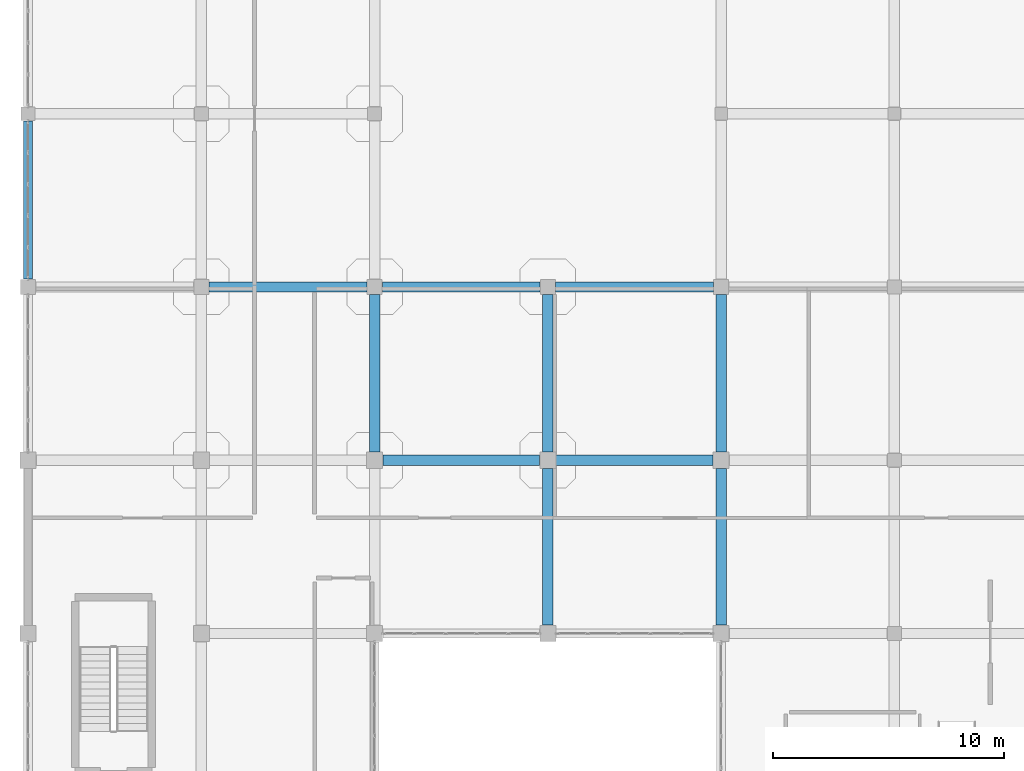
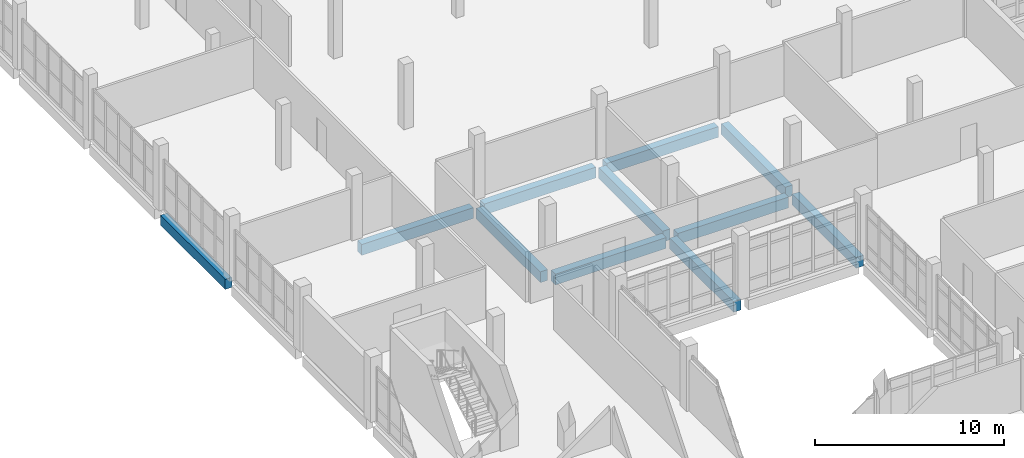
# One storey, part 36 of 164: 11 beams.
"""IFC4 building model written with IfcOpenShell, lengths in metres."""

from ifc_helpers import new_model, si_unit, direction, frame, origin, origin_2d, place, context, subcontext, project, spatial, rectangle, extrude, material, material_profile, profile_set, type_object, element, save


model = new_model("IFC4")

# Units and contexts
model_context = context("Model", 3, precision=1e-05, world=origin(), true_north=direction((0.0, 1.0)))
body_context = subcontext(model_context, "Body", "Model", "MODEL_VIEW")
ifc_project = project(units=[si_unit("LENGTHUNIT", "METRE"), si_unit("AREAUNIT", "SQUARE_METRE"), si_unit("VOLUMEUNIT", "CUBIC_METRE"), si_unit("PLANEANGLEUNIT", "RADIAN"), si_unit("MASSUNIT", "GRAM", prefix="KILO")], contexts=[model_context])

# Site, building, storey
site_placement = place(None, origin())
site = spatial("IfcSite", under=ifc_project, at=site_placement, CompositionType="ELEMENT")
building_placement = place(site_placement, origin())
building = spatial("IfcBuilding", under=site, at=building_placement, Name="Mawjan Specialist Oncology Clinic", CompositionType="ELEMENT")
storey_placement = place(building_placement, frame((0.0, 0.0, 5.0)))
storey = spatial("IfcBuildingStorey", under=building, at=storey_placement, Name="L01", CompositionType="ELEMENT", Elevation=5.0)

# Beams
ifc_material_1 = material(Name="Concrete C40/50", Category="concrete")
ifc_material_profile_1 = material_profile(ifc_material_1, rectangle(XDim=0.449951171875, YDim=0.699951171875, at=origin_2d()), Name="RC BM 450x700", Category="concrete")
ifc_profile_set_1 = profile_set([ifc_material_profile_1], Name="Concrete C40/50")
beam_type_1 = type_object("IfcBeamType", Name="BM-450x700", PredefinedType="BEAM", material=ifc_profile_set_1)
for number, where, z_axis, x_axis, name in (
    (1, (15.360107421875, 38.300048828125, -0.8701171875), (1.0, 0.0, 0.0), (0.0, 1.0, 0.0), "L01 Collector Beam BM-L01-0252"),
    (2, (22.860107421875, 38.300048828125, -0.8701171875), (1.0, 0.0, 0.0), (0.0, 1.0, 0.0), "L01 Collector Beam BM-L01-0253"),
):
    element("IfcBeam", number, at=place(storey_placement, frame(where, z_axis=z_axis, x_axis=x_axis)), inside=storey, type_object=beam_type_1, Name=name, PredefinedType="BEAM", context=body_context, shape_type="SweptSolid", body=[
        extrude(rectangle(XDim=0.449951171875, YDim=0.699951171875, at=origin_2d()), origin(), (0.0, 0.0, 1.0), 6.77978515625),
    ])
for number, where, z_axis, x_axis, name in (
    (3, (7.8349609375, 45.800048828125, -0.8701171875), (1.0, 0.0, 0.0), (0.0, 1.0, 0.0), "L01 Collector Beam BM-L01-0257"),
    (4, (15.3349609375, 45.800048828125, -0.8701171875), (1.0, 0.0, 0.0), (0.0, 1.0, 0.0), "L01 Collector Beam BM-L01-0258"),
    (5, (22.8349609375, 45.800048828125, -0.8701171875), (1.0, 0.0, 0.0), (0.0, 1.0, 0.0), "L01 Collector Beam BM-L01-0259"),
):
    element("IfcBeam", number, at=place(storey_placement, frame(where, z_axis=z_axis, x_axis=x_axis)), inside=storey, type_object=beam_type_1, Name=name, PredefinedType="BEAM", context=body_context, shape_type="SweptSolid", body=[
        extrude(rectangle(XDim=0.449951171875, YDim=0.699951171875, at=origin_2d()), origin(), (0.0, 0.0, 1.0), 6.830078125),
    ])
beam_1_placement = place(storey_placement, frame((15.0, 38.659912109375, -0.8701171875), z_axis=(0.0, 1.0, 0.0), x_axis=(-1.0, 0.0, 0.0)))
element("IfcBeam", 6, at=beam_1_placement, inside=storey, type_object=beam_type_1, Name="L01 Collector Beam BM-L01-0441", PredefinedType="BEAM", context=body_context, shape_type="SweptSolid", body=[
    extrude(rectangle(XDim=0.449951171875, YDim=0.699951171875, at=origin_2d()), origin(), (0.0, 0.0, 1.0), 6.80517578125),
])
beam_2_placement = place(storey_placement, frame((22.5, 31.159912109375, -0.8701171875), z_axis=(0.0, 1.0, 0.0), x_axis=(-1.0, 0.0, 0.0)))
element("IfcBeam", 7, at=beam_2_placement, inside=storey, type_object=beam_type_1, Name="L01 Collector Beam BM-L01-0448", PredefinedType="BEAM", context=body_context, shape_type="SweptSolid", body=[
    extrude(rectangle(XDim=0.449951171875, YDim=0.699951171875, at=origin_2d()), origin(), (0.0, 0.0, 1.0), 6.780029296875),
])
beam_3_placement = place(storey_placement, frame((22.5, 38.659912109375, -0.8701171875), z_axis=(0.0, 1.0, 0.0), x_axis=(-1.0, 0.0, 0.0)))
element("IfcBeam", 8, at=beam_3_placement, inside=storey, type_object=beam_type_1, Name="L01 Collector Beam BM-L01-0449", PredefinedType="BEAM", context=body_context, shape_type="SweptSolid", body=[
    extrude(rectangle(XDim=0.449951171875, YDim=0.699951171875, at=origin_2d()), origin(), (0.0, 0.0, 1.0), 6.80517578125),
])
beam_4_placement = place(storey_placement, frame((30.0, 31.159912109375, -0.64990234375), z_axis=(0.0, 1.0, 0.0), x_axis=(-1.0, 0.0, 0.0)))
element("IfcBeam", 9, at=beam_4_placement, inside=storey, type_object=beam_type_1, Name="L01 Collector Beam BM-L01-0456", PredefinedType="BEAM", context=body_context, shape_type="SweptSolid", body=[
    extrude(rectangle(XDim=0.449951171875, YDim=0.699951171875, at=origin_2d()), origin(), (0.0, 0.0, 1.0), 6.780029296875),
])
beam_5_placement = place(storey_placement, frame((30.0, 38.659912109375, -0.64990234375), z_axis=(0.0, 1.0, 0.0), x_axis=(-1.0, 0.0, 0.0)))
element("IfcBeam", 10, at=beam_5_placement, inside=storey, type_object=beam_type_1, Name="L01 Collector Beam BM-L01-0457", PredefinedType="BEAM", context=body_context, shape_type="SweptSolid", body=[
    extrude(rectangle(XDim=0.449951171875, YDim=0.699951171875, at=origin_2d()), origin(), (0.0, 0.0, 1.0), 6.80517578125),
])
ifc_material_2 = material(Name="Concrete C45/55", Category="concrete")
ifc_material_profile_2 = material_profile(ifc_material_2, rectangle(XDim=0.39990234375, YDim=0.64990234375, at=origin_2d()), Name="RC BM 400x650", Category="concrete")
ifc_profile_set_2 = profile_set([ifc_material_profile_2], Name="Concrete C45/55")
beam_type_2 = type_object("IfcBeamType", Name="SP-400x650", PredefinedType="SPANDREL", material=ifc_profile_set_2)
beam_6_placement = place(storey_placement, frame((0.0, 46.135009765625, -0.625), z_axis=(0.0, 1.0, 0.0), x_axis=(-1.0, 0.0, 0.0)))
element("IfcBeam", 11, at=beam_6_placement, inside=storey, type_object=beam_type_2, Name="L01 Spandrel Beam BM-L01-0424", PredefinedType="SPANDREL", context=body_context, shape_type="SweptSolid", body=[
    extrude(rectangle(XDim=0.39990234375, YDim=0.64990234375, at=origin_2d()), origin(), (0.0, 0.0, 1.0), 6.85498046875),
])

save(model, "model.ifc")
